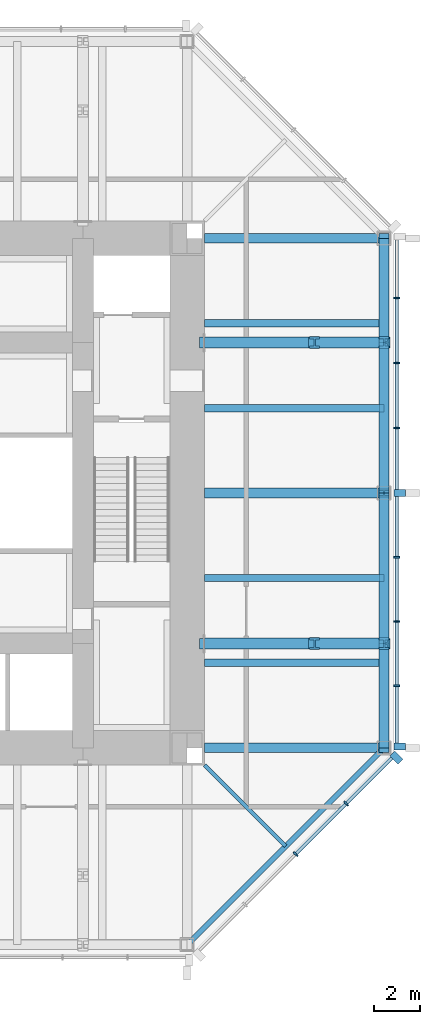
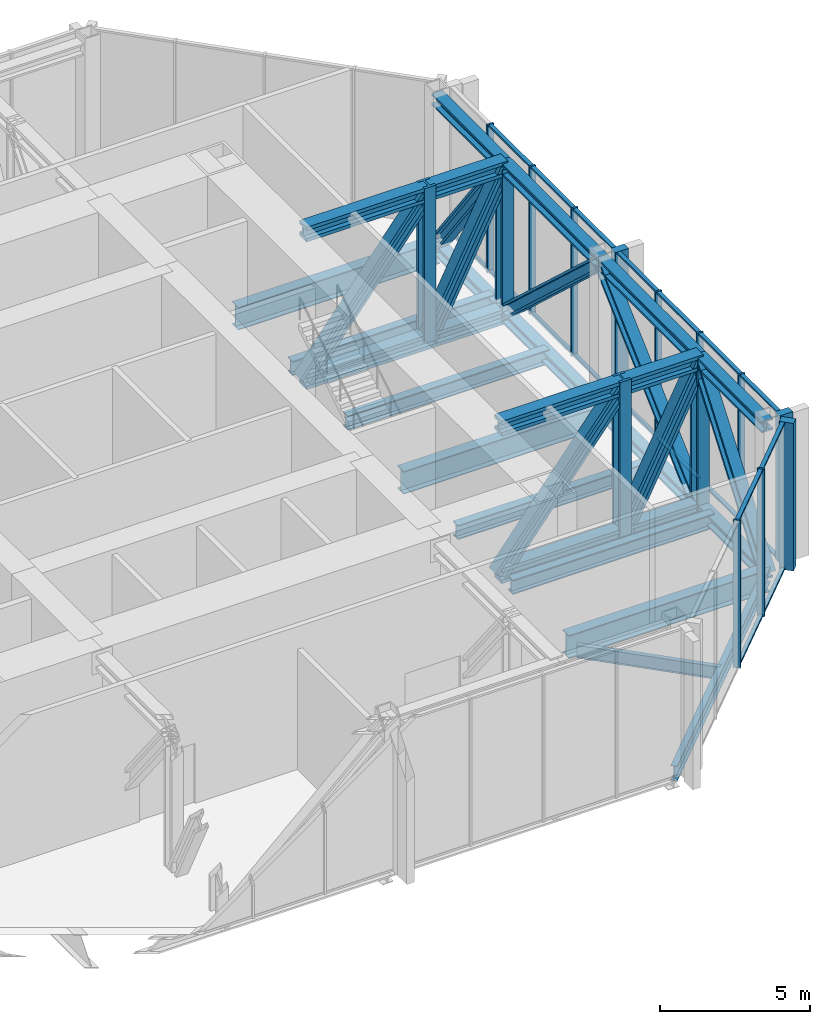
# One storey, part 5 of 11: 42 members, 23 beams, 2 elements without a shape of their own.
"""IFC4 building model written with IfcOpenShell, lengths in metres."""

from ifc_helpers import new_model, si_unit, direction, frame, origin, origin_2d, place, context, subcontext, project, spatial, rectangle, i_section, extrude, material, material_profile, profile_set, type_object, element, aggregate, save


model = new_model("IFC4")

# Units and contexts
model_context = context("Model", 3, precision=1e-05, world=origin(), true_north=direction((0.0, 1.0)))
body_context = subcontext(model_context, "Body", "Model", "MODEL_VIEW")
ifc_project = project(units=[si_unit("LENGTHUNIT", "METRE"), si_unit("AREAUNIT", "SQUARE_METRE"), si_unit("VOLUMEUNIT", "CUBIC_METRE"), si_unit("PLANEANGLEUNIT", "RADIAN"), si_unit("MASSUNIT", "GRAM", prefix="KILO")], contexts=[model_context])

# Site, building, storey
site_placement = place(None, origin())
site = spatial("IfcSite", under=ifc_project, at=site_placement, CompositionType="ELEMENT")
building_placement = place(site_placement, origin())
building = spatial("IfcBuilding", under=site, at=building_placement, Name="Trevanion Tower", CompositionType="ELEMENT")
storey_placement = place(building_placement, frame((0.0, 0.0, 257.199951171875)))
storey = spatial("IfcBuildingStorey", under=building, at=storey_placement, Name="L63", CompositionType="ELEMENT", Elevation=257.199951171875)

# Beams
ifc_material_1 = material(Name="Steel ASTM A992 Grade 50", Category="steel")
ifc_material_profile_1 = material_profile(ifc_material_1, i_section(OverallWidth=0.320068359375, OverallDepth=0.584228515625, WebThickness=0.023193359375, FlangeThickness=0.04150390625, at=origin_2d()), Name="W21X201")
ifc_profile_set_1 = profile_set([ifc_material_profile_1], Name="Steel ASTM A992 Grade 50")
beam_type_1 = type_object("IfcBeamType", Name="B13 W21X201", PredefinedType="BEAM", material=ifc_profile_set_1)
for number, where, z_axis, x_axis, name in (
    (1, (11.75, -7.333251953125, -0.48193359375), (1.0, 0.0, 0.0), (0.0, 1.0, 0.0), "B13 L63"),
    (2, (11.75, -3.666748046875, -0.48193359375), (1.0, 0.0, 0.0), (0.0, 1.0, 0.0), "B13 L63"),
    (3, (11.75, 3.666748046875, -0.48193359375), (1.0, 0.0, 0.0), (0.0, 1.0, 0.0), "B13 L63"),
    (4, (11.75, 7.333251953125, -0.48193359375), (1.0, 0.0, 0.0), (0.0, 1.0, 0.0), "B13 L63"),
):
    element("IfcBeam", number, at=place(storey_placement, frame(where, z_axis=z_axis, x_axis=x_axis)), inside=storey, type_object=beam_type_1, Name=name, PredefinedType="BEAM", context=body_context, shape_type="SweptSolid", body=[
        extrude(i_section(OverallWidth=0.320068359375, OverallDepth=0.584228515625, WebThickness=0.023193359375, FlangeThickness=0.04150390625, at=origin_2d()), origin(), (0.0, 0.0, 1.0), 7.75),
    ])
ifc_material_2 = material(Name="Steel ASTM A992 Grade 50", Category="steel")
ifc_material_profile_2 = material_profile(ifc_material_2, i_section(OverallWidth=0.1650390625, OverallDepth=0.52587890625, WebThickness=0.0087890625, FlangeThickness=0.011474609375, at=origin_2d()), Name="W21X44")
ifc_profile_set_2 = profile_set([ifc_material_profile_2], Name="Steel ASTM A992 Grade 50")
beam_type_2 = type_object("IfcBeamType", Name="B14 W21X44", PredefinedType="BEAM", material=ifc_profile_set_2)
beam_1_placement = place(storey_placement, frame((11.75, -11.75, -0.452880859375), z_axis=(0.707106781187, -0.707106781187, 0.0), x_axis=(0.707106781187, 0.707106781187, 0.0)))
element("IfcBeam", 5, at=beam_1_placement, inside=storey, type_object=beam_type_2, Name="B14 L63", PredefinedType="BEAM", context=body_context, shape_type="SweptSolid", body=[
    extrude(i_section(OverallWidth=0.1650390625, OverallDepth=0.52587890625, WebThickness=0.0087890625, FlangeThickness=0.011474609375, at=origin_2d()), origin(), (0.0, 0.0, 1.0), 4.94970703125),
])
ifc_material_3 = material(Name="Steel ASTM A992 Grade 50", Category="steel")
ifc_material_profile_3 = material_profile(ifc_material_3, i_section(OverallWidth=0.421630859375, OverallDepth=0.46484375, WebThickness=0.044921875, FlangeThickness=0.072509765625, at=origin_2d()), Name="W14X398")
ifc_profile_set_3 = profile_set([ifc_material_profile_3], Name="Steel ASTM A992 Grade 50")
beam_type_3 = type_object("IfcBeamType", Name="BT3-CH W14X398", PredefinedType="BEAM", material=ifc_profile_set_3)
for number, where, z_axis, x_axis, name in (
    (6, (19.5, -11.0, -0.48974609375), (0.0, 1.0, 0.0), (-1.0, 0.0, 0.0), "BT3 belt truss chord"),
    (7, (19.5, -11.0, 5.51025390625), (0.0, 1.0, 0.0), (-1.0, 0.0, 0.0), "BT3 belt truss chord"),
):
    element("IfcBeam", number, at=place(storey_placement, frame(where, z_axis=z_axis, x_axis=x_axis)), inside=storey, type_object=beam_type_3, Name=name, PredefinedType="BEAM", context=body_context, shape_type="SweptSolid", body=[
        extrude(i_section(OverallWidth=0.421630859375, OverallDepth=0.46484375, WebThickness=0.044921875, FlangeThickness=0.072509765625, at=origin_2d()), origin(), (0.0, 0.0, 1.0), 4.5),
    ])
for number, where, z_axis, x_axis, name in (
    (8, (19.5, -6.5, -0.48974609375), (0.0, 1.0, 0.0), (-1.0, 0.0, 0.0), "BT3 belt truss chord"),
    (9, (19.5, -6.5, 5.51025390625), (0.0, 1.0, 0.0), (-1.0, 0.0, 0.0), "BT3 belt truss chord"),
    (10, (19.5, 0.0, -0.48974609375), (0.0, 1.0, 0.0), (-1.0, 0.0, 0.0), "BT3 belt truss chord"),
    (11, (19.5, 0.0, 5.51025390625), (0.0, 1.0, 0.0), (-1.0, 0.0, 0.0), "BT3 belt truss chord"),
):
    element("IfcBeam", number, at=place(storey_placement, frame(where, z_axis=z_axis, x_axis=x_axis)), inside=storey, type_object=beam_type_3, Name=name, PredefinedType="BEAM", context=body_context, shape_type="SweptSolid", body=[
        extrude(i_section(OverallWidth=0.421630859375, OverallDepth=0.46484375, WebThickness=0.044921875, FlangeThickness=0.072509765625, at=origin_2d()), origin(), (0.0, 0.0, 1.0), 6.5),
    ])
for number, where, z_axis, x_axis, name in (
    (12, (19.5, 6.5, -0.48974609375), (0.0, 1.0, 0.0), (-1.0, 0.0, 0.0), "BT3 belt truss chord"),
    (13, (19.5, 6.5, 5.51025390625), (0.0, 1.0, 0.0), (-1.0, 0.0, 0.0), "BT3 belt truss chord"),
):
    element("IfcBeam", number, at=place(storey_placement, frame(where, z_axis=z_axis, x_axis=x_axis)), inside=storey, type_object=beam_type_3, Name=name, PredefinedType="BEAM", context=body_context, shape_type="SweptSolid", body=[
        extrude(i_section(OverallWidth=0.421630859375, OverallDepth=0.46484375, WebThickness=0.044921875, FlangeThickness=0.072509765625, at=origin_2d()), origin(), (0.0, 0.0, 1.0), 4.5),
    ])

# Members
ifc_material_4 = material(Name="Steel ASTM A992 Grade 50", Category="steel")
ifc_material_profile_4 = material_profile(ifc_material_4, i_section(OverallWidth=0.431884765625, OverallDepth=0.497802734375, WebThickness=0.0556640625, FlangeThickness=0.0888671875, at=origin_2d()), Name="W14X500")
ifc_profile_set_4 = profile_set([ifc_material_profile_4], Name="Steel ASTM A992 Grade 50")
member_type_1 = type_object("IfcMemberType", Name="BT3-D W14X500", PredefinedType="BRACE", material=ifc_profile_set_4)
member_1_placement = place(storey_placement, frame((19.5, -11.0, -0.48974609375), z_axis=(0.0, 0.6, 0.8), x_axis=(-1.0, 0.0, 0.0)))
element("IfcMember", 14, at=member_1_placement, inside=storey, type_object=member_type_1, Name="BT3 belt truss diagonal", PredefinedType="BRACE", context=body_context, shape_type="SweptSolid", body=[
    extrude(i_section(OverallWidth=0.431884765625, OverallDepth=0.497802734375, WebThickness=0.0556640625, FlangeThickness=0.0888671875, at=origin_2d()), origin(), (0.0, 0.0, 1.0), 7.5),
])
for number, where, z_axis, x_axis, name in (
    (15, (19.5, -6.5, -0.48974609375), (0.0, 0.734803444627, 0.678280102733), (-1.0, 0.0, 0.0), "BT3 belt truss diagonal"),
    (16, (19.5, 6.5, -0.48974609375), (0.0, -0.734803444627, 0.678280102733), (1.0, 0.0, 0.0), "BT3 belt truss diagonal"),
):
    element("IfcMember", number, at=place(storey_placement, frame(where, z_axis=z_axis, x_axis=x_axis)), inside=storey, type_object=member_type_1, Name=name, PredefinedType="BRACE", context=body_context, shape_type="SweptSolid", body=[
        extrude(i_section(OverallWidth=0.431884765625, OverallDepth=0.497802734375, WebThickness=0.0556640625, FlangeThickness=0.0888671875, at=origin_2d()), origin(), (0.0, 0.0, 1.0), 8.845947265625),
    ])
member_2_placement = place(storey_placement, frame((19.5, 11.0, -0.48974609375), z_axis=(0.0, -0.6, 0.8), x_axis=(1.0, 0.0, 0.0)))
element("IfcMember", 17, at=member_2_placement, inside=storey, type_object=member_type_1, Name="BT3 belt truss diagonal", PredefinedType="BRACE", context=body_context, shape_type="SweptSolid", body=[
    extrude(i_section(OverallWidth=0.431884765625, OverallDepth=0.497802734375, WebThickness=0.0556640625, FlangeThickness=0.0888671875, at=origin_2d()), origin(), (0.0, 0.0, 1.0), 7.5),
])
ifc_material_5 = material(Name="Steel ASTM A992 Grade 50", Category="steel")
ifc_material_profile_5 = material_profile(ifc_material_5, i_section(OverallWidth=0.44189453125, OverallDepth=0.53076171875, WebThickness=0.06591796875, FlangeThickness=0.105712890625, at=origin_2d()), Name="W14X605")
ifc_profile_set_5 = profile_set([ifc_material_profile_5], Name="Steel ASTM A992 Grade 50")
member_type_2 = type_object("IfcMemberType", Name="BT3-V W14X605", PredefinedType="POST", material=ifc_profile_set_5)
for number, where, z_axis, x_axis, name in (
    (18, (19.5, -6.5, -0.48974609375), (0.0, 0.0, 1.0), (1.0, 0.0, 0.0), "BT3 belt truss vertical"),
    (19, (19.5, 6.5, -0.48974609375), (0.0, 0.0, 1.0), (1.0, 0.0, 0.0), "BT3 belt truss vertical"),
):
    element("IfcMember", number, at=place(storey_placement, frame(where, z_axis=z_axis, x_axis=x_axis)), inside=storey, type_object=member_type_2, Name=name, PredefinedType="POST", context=body_context, shape_type="SweptSolid", body=[
        extrude(i_section(OverallWidth=0.44189453125, OverallDepth=0.53076171875, WebThickness=0.06591796875, FlangeThickness=0.105712890625, at=origin_2d()), origin(), (0.0, 0.0, 1.0), 6.0),
    ])

# Curtain wall, members
ifc_material_6 = material(Name="Aluminium louvres", Category="aluminium")
curtain_wall_type = type_object("IfcCurtainWallType", Name="CWL curtain wall", PredefinedType="USERDEFINED", material=ifc_material_6)
curtain_wall_1_placement = place(storey_placement, origin())
curtain_wall_1 = element("IfcCurtainWall", 20, at=curtain_wall_1_placement, inside=storey, type_object=curtain_wall_type, Name="CWL L63 0", ObjectType="LOUVRE SCREEN", PredefinedType="USERDEFINED")
ifc_material_7 = material(Name="Aluminium extrusion, anodised bronze", Category="aluminium")
ifc_material_profile_6 = material_profile(ifc_material_7, rectangle(XDim=0.074951171875, YDim=0.25, at=origin_2d()), Name="CWL mullion")
ifc_profile_set_6 = profile_set([ifc_material_profile_6], Name="Aluminium extrusion, anodised bronze")
member_type_3 = type_object("IfcMemberType", Name="CWL mullion", PredefinedType="MULLION", material=ifc_profile_set_6)
member_3_placement = place(storey_placement, frame((20.050048828125, -8.323486328125, -0.18994140625), z_axis=(0.0, 0.0, 1.0), x_axis=(0.0, 1.0, 0.0)))
member_3 = element("IfcMember", 21, at=member_3_placement, type_object=member_type_3, Name="CWL mullion 2", PredefinedType="MULLION", context=body_context, shape_type="SweptSolid", body=[
    extrude(rectangle(XDim=0.074951171875, YDim=0.25, at=origin_2d()), origin(), (0.0, 0.0, 1.0), 6.0),
])
member_4_placement = place(storey_placement, frame((20.050048828125, -5.548828125, -0.18994140625), z_axis=(0.0, 0.0, 1.0), x_axis=(0.0, 1.0, 0.0)))
member_4 = element("IfcMember", 22, at=member_4_placement, type_object=member_type_3, Name="CWL mullion 3", PredefinedType="MULLION", context=body_context, shape_type="SweptSolid", body=[
    extrude(rectangle(XDim=0.074951171875, YDim=0.25, at=origin_2d()), origin(), (0.0, 0.0, 1.0), 6.0),
])
member_5_placement = place(storey_placement, frame((20.050048828125, -2.7744140625, -0.18994140625), z_axis=(0.0, 0.0, 1.0), x_axis=(0.0, 1.0, 0.0)))
member_5 = element("IfcMember", 23, at=member_5_placement, type_object=member_type_3, Name="CWL mullion 4", PredefinedType="MULLION", context=body_context, shape_type="SweptSolid", body=[
    extrude(rectangle(XDim=0.074951171875, YDim=0.25, at=origin_2d()), origin(), (0.0, 0.0, 1.0), 6.0),
])
member_6_placement = place(storey_placement, frame((20.050048828125, 2.806884765625, -0.18994140625), z_axis=(0.0, 0.0, 1.0), x_axis=(0.0, 1.0, 0.0)))
member_6 = element("IfcMember", 24, at=member_6_placement, type_object=member_type_3, Name="CWL mullion 6", PredefinedType="MULLION", context=body_context, shape_type="SweptSolid", body=[
    extrude(rectangle(XDim=0.074951171875, YDim=0.25, at=origin_2d()), origin(), (0.0, 0.0, 1.0), 6.0),
])
member_7_placement = place(storey_placement, frame((20.050048828125, 5.614013671875, -0.18994140625), z_axis=(0.0, 0.0, 1.0), x_axis=(0.0, 1.0, 0.0)))
member_7 = element("IfcMember", 25, at=member_7_placement, type_object=member_type_3, Name="CWL mullion 7", PredefinedType="MULLION", context=body_context, shape_type="SweptSolid", body=[
    extrude(rectangle(XDim=0.074951171875, YDim=0.25, at=origin_2d()), origin(), (0.0, 0.0, 1.0), 6.0),
])
member_8_placement = place(storey_placement, frame((20.050048828125, 8.4208984375, -0.18994140625), z_axis=(0.0, 0.0, 1.0), x_axis=(0.0, 1.0, 0.0)))
member_8 = element("IfcMember", 26, at=member_8_placement, type_object=member_type_3, Name="CWL mullion 8", PredefinedType="MULLION", context=body_context, shape_type="SweptSolid", body=[
    extrude(rectangle(XDim=0.074951171875, YDim=0.25, at=origin_2d()), origin(), (0.0, 0.0, 1.0), 6.0),
])

curtain_wall_2_placement = place(storey_placement, origin())
curtain_wall_2 = element("IfcCurtainWall", 27, at=curtain_wall_2_placement, inside=storey, type_object=curtain_wall_type, Name="CWL L63 7", ObjectType="LOUVRE SCREEN", PredefinedType="USERDEFINED")
member_9_placement = place(storey_placement, frame((15.684814453125, -15.593017578125, -0.18994140625), z_axis=(0.0, 0.0, 1.0), x_axis=(0.707106781187, 0.707106781187, 0.0)))
member_9 = element("IfcMember", 28, at=member_9_placement, type_object=member_type_3, Name="CWL mullion 3", PredefinedType="MULLION", context=body_context, shape_type="SweptSolid", body=[
    extrude(rectangle(XDim=0.074951171875, YDim=0.25, at=origin_2d()), origin(), (0.0, 0.0, 1.0), 6.0),
])
member_10_placement = place(storey_placement, frame((17.867431640625, -13.410400390625, -0.18994140625), z_axis=(0.0, 0.0, 1.0), x_axis=(0.707106781187, 0.707106781187, 0.0)))
member_10 = element("IfcMember", 29, at=member_10_placement, type_object=member_type_3, Name="CWL mullion 4", PredefinedType="MULLION", context=body_context, shape_type="SweptSolid", body=[
    extrude(rectangle(XDim=0.074951171875, YDim=0.25, at=origin_2d()), origin(), (0.0, 0.0, 1.0), 6.0),
])

# Member
ifc_material_8 = material(Name="Aluminium extrusion, anodised bronze", Category="aluminium")
ifc_material_profile_7 = material_profile(ifc_material_8, rectangle(XDim=0.300048828125, YDim=0.5, at=origin_2d()), Name="CWL pier mullion")
ifc_profile_set_7 = profile_set([ifc_material_profile_7], Name="Aluminium extrusion, anodised bronze")
member_type_4 = type_object("IfcMemberType", Name="CWL pier mullion", PredefinedType="MULLION", material=ifc_profile_set_7)
member_11_placement = place(storey_placement, frame((20.175048828125, -10.94775390625, -0.18994140625), z_axis=(0.0, 0.0, 1.0), x_axis=(0.0, 1.0, 0.0)))
member_11 = element("IfcMember", 30, at=member_11_placement, type_object=member_type_4, Name="CWL pier mullion 1", PredefinedType="MULLION", context=body_context, shape_type="SweptSolid", body=[
    extrude(rectangle(XDim=0.300048828125, YDim=0.5, at=origin_2d()), origin(), (0.0, 0.0, 1.0), 6.0),
])

member_12_placement = place(storey_placement, frame((20.175048828125, 0.0, -0.18994140625), z_axis=(0.0, 0.0, 1.0), x_axis=(0.0, 1.0, 0.0)))
member_12 = element("IfcMember", 31, at=member_12_placement, type_object=member_type_4, Name="CWL pier mullion 5", PredefinedType="MULLION", context=body_context, shape_type="SweptSolid", body=[
    extrude(rectangle(XDim=0.300048828125, YDim=0.5, at=origin_2d()), origin(), (0.0, 0.0, 1.0), 6.0),
])

member_13_placement = place(storey_placement, frame((20.0322265625, -11.42236328125, -0.18994140625), z_axis=(0.0, 0.0, 1.0), x_axis=(0.707106781187, 0.707106781187, 0.0)))
member_13 = element("IfcMember", 32, at=member_13_placement, type_object=member_type_4, Name="CWL pier mullion 5", PredefinedType="MULLION", context=body_context, shape_type="SweptSolid", body=[
    extrude(rectangle(XDim=0.300048828125, YDim=0.5, at=origin_2d()), origin(), (0.0, 0.0, 1.0), 6.0),
])

ifc_material_9 = material(Name="Aluminium extrusion, anodised bronze", Category="aluminium")
ifc_material_profile_8 = material_profile(ifc_material_9, rectangle(XDim=0.14990234375, YDim=0.074951171875, at=origin_2d()), Name="CWL transom")
ifc_profile_set_8 = profile_set([ifc_material_profile_8], Name="Aluminium extrusion, anodised bronze")
member_type_5 = type_object("IfcMemberType", Name="CWL transom", PredefinedType="USERDEFINED", material=ifc_profile_set_8)
member_14_placement = place(storey_placement, frame((20.050048828125, -10.7978515625, -0.15234375), z_axis=(0.0, 1.0, 0.0), x_axis=(-1.0, 0.0, 0.0)))
member_14 = element("IfcMember", 33, at=member_14_placement, type_object=member_type_5, Name="CWL transom 1.1", ObjectType="TRANSOM", PredefinedType="USERDEFINED", context=body_context, shape_type="SweptSolid", body=[
    extrude(rectangle(XDim=0.14990234375, YDim=0.074951171875, at=origin_2d()), origin(), (0.0, 0.0, 1.0), 2.43701171875),
])

member_15_placement = place(storey_placement, frame((20.050048828125, -10.7978515625, 5.7724609375), z_axis=(0.0, 1.0, 0.0), x_axis=(-1.0, 0.0, 0.0)))
member_15 = element("IfcMember", 34, at=member_15_placement, type_object=member_type_5, Name="CWL transom 1.2", ObjectType="TRANSOM", PredefinedType="USERDEFINED", context=body_context, shape_type="SweptSolid", body=[
    extrude(rectangle(XDim=0.14990234375, YDim=0.074951171875, at=origin_2d()), origin(), (0.0, 0.0, 1.0), 2.43701171875),
])

member_16_placement = place(storey_placement, frame((20.050048828125, -8.285888671875, -0.15234375), z_axis=(0.0, 1.0, 0.0), x_axis=(-1.0, 0.0, 0.0)))
member_16 = element("IfcMember", 35, at=member_16_placement, type_object=member_type_5, Name="CWL transom 2.1", ObjectType="TRANSOM", PredefinedType="USERDEFINED", context=body_context, shape_type="SweptSolid", body=[
    extrude(rectangle(XDim=0.14990234375, YDim=0.074951171875, at=origin_2d()), origin(), (0.0, 0.0, 1.0), 2.699462890625),
])

member_17_placement = place(storey_placement, frame((20.050048828125, -8.285888671875, 5.7724609375), z_axis=(0.0, 1.0, 0.0), x_axis=(-1.0, 0.0, 0.0)))
member_17 = element("IfcMember", 36, at=member_17_placement, type_object=member_type_5, Name="CWL transom 2.2", ObjectType="TRANSOM", PredefinedType="USERDEFINED", context=body_context, shape_type="SweptSolid", body=[
    extrude(rectangle(XDim=0.14990234375, YDim=0.074951171875, at=origin_2d()), origin(), (0.0, 0.0, 1.0), 2.699462890625),
])

member_18_placement = place(storey_placement, frame((20.050048828125, -5.511474609375, -0.15234375), z_axis=(0.0, 1.0, 0.0), x_axis=(-1.0, 0.0, 0.0)))
member_18 = element("IfcMember", 37, at=member_18_placement, type_object=member_type_5, Name="CWL transom 3.1", ObjectType="TRANSOM", PredefinedType="USERDEFINED", context=body_context, shape_type="SweptSolid", body=[
    extrude(rectangle(XDim=0.14990234375, YDim=0.074951171875, at=origin_2d()), origin(), (0.0, 0.0, 1.0), 2.699462890625),
])

member_19_placement = place(storey_placement, frame((20.050048828125, -5.511474609375, 5.7724609375), z_axis=(0.0, 1.0, 0.0), x_axis=(-1.0, 0.0, 0.0)))
member_19 = element("IfcMember", 38, at=member_19_placement, type_object=member_type_5, Name="CWL transom 3.2", ObjectType="TRANSOM", PredefinedType="USERDEFINED", context=body_context, shape_type="SweptSolid", body=[
    extrude(rectangle(XDim=0.14990234375, YDim=0.074951171875, at=origin_2d()), origin(), (0.0, 0.0, 1.0), 2.699462890625),
])

member_20_placement = place(storey_placement, frame((20.050048828125, -2.737060546875, -0.15234375), z_axis=(0.0, 1.0, 0.0), x_axis=(-1.0, 0.0, 0.0)))
member_20 = element("IfcMember", 39, at=member_20_placement, type_object=member_type_5, Name="CWL transom 4.1", ObjectType="TRANSOM", PredefinedType="USERDEFINED", context=body_context, shape_type="SweptSolid", body=[
    extrude(rectangle(XDim=0.14990234375, YDim=0.074951171875, at=origin_2d()), origin(), (0.0, 0.0, 1.0), 2.587158203125),
])

member_21_placement = place(storey_placement, frame((20.050048828125, -2.737060546875, 5.7724609375), z_axis=(0.0, 1.0, 0.0), x_axis=(-1.0, 0.0, 0.0)))
member_21 = element("IfcMember", 40, at=member_21_placement, type_object=member_type_5, Name="CWL transom 4.2", ObjectType="TRANSOM", PredefinedType="USERDEFINED", context=body_context, shape_type="SweptSolid", body=[
    extrude(rectangle(XDim=0.14990234375, YDim=0.074951171875, at=origin_2d()), origin(), (0.0, 0.0, 1.0), 2.587158203125),
])

member_22_placement = place(storey_placement, frame((20.050048828125, 0.14990234375, -0.15234375), z_axis=(0.0, 1.0, 0.0), x_axis=(-1.0, 0.0, 0.0)))
member_22 = element("IfcMember", 41, at=member_22_placement, type_object=member_type_5, Name="CWL transom 5.1", ObjectType="TRANSOM", PredefinedType="USERDEFINED", context=body_context, shape_type="SweptSolid", body=[
    extrude(rectangle(XDim=0.14990234375, YDim=0.074951171875, at=origin_2d()), origin(), (0.0, 0.0, 1.0), 2.619384765625),
])

member_23_placement = place(storey_placement, frame((20.050048828125, 0.14990234375, 5.7724609375), z_axis=(0.0, 1.0, 0.0), x_axis=(-1.0, 0.0, 0.0)))
member_23 = element("IfcMember", 42, at=member_23_placement, type_object=member_type_5, Name="CWL transom 5.2", ObjectType="TRANSOM", PredefinedType="USERDEFINED", context=body_context, shape_type="SweptSolid", body=[
    extrude(rectangle(XDim=0.14990234375, YDim=0.074951171875, at=origin_2d()), origin(), (0.0, 0.0, 1.0), 2.619384765625),
])

member_24_placement = place(storey_placement, frame((20.050048828125, 2.844482421875, -0.15234375), z_axis=(0.0, 1.0, 0.0), x_axis=(-1.0, 0.0, 0.0)))
member_24 = element("IfcMember", 43, at=member_24_placement, type_object=member_type_5, Name="CWL transom 6.1", ObjectType="TRANSOM", PredefinedType="USERDEFINED", context=body_context, shape_type="SweptSolid", body=[
    extrude(rectangle(XDim=0.14990234375, YDim=0.074951171875, at=origin_2d()), origin(), (0.0, 0.0, 1.0), 2.73193359375),
])

member_25_placement = place(storey_placement, frame((20.050048828125, 2.844482421875, 5.7724609375), z_axis=(0.0, 1.0, 0.0), x_axis=(-1.0, 0.0, 0.0)))
member_25 = element("IfcMember", 44, at=member_25_placement, type_object=member_type_5, Name="CWL transom 6.2", ObjectType="TRANSOM", PredefinedType="USERDEFINED", context=body_context, shape_type="SweptSolid", body=[
    extrude(rectangle(XDim=0.14990234375, YDim=0.074951171875, at=origin_2d()), origin(), (0.0, 0.0, 1.0), 2.73193359375),
])

member_26_placement = place(storey_placement, frame((20.050048828125, 5.6513671875, -0.15234375), z_axis=(0.0, 1.0, 0.0), x_axis=(-1.0, 0.0, 0.0)))
member_26 = element("IfcMember", 45, at=member_26_placement, type_object=member_type_5, Name="CWL transom 7.1", ObjectType="TRANSOM", PredefinedType="USERDEFINED", context=body_context, shape_type="SweptSolid", body=[
    extrude(rectangle(XDim=0.14990234375, YDim=0.074951171875, at=origin_2d()), origin(), (0.0, 0.0, 1.0), 2.73193359375),
])

member_27_placement = place(storey_placement, frame((20.050048828125, 5.6513671875, 5.7724609375), z_axis=(0.0, 1.0, 0.0), x_axis=(-1.0, 0.0, 0.0)))
member_27 = element("IfcMember", 46, at=member_27_placement, type_object=member_type_5, Name="CWL transom 7.2", ObjectType="TRANSOM", PredefinedType="USERDEFINED", context=body_context, shape_type="SweptSolid", body=[
    extrude(rectangle(XDim=0.14990234375, YDim=0.074951171875, at=origin_2d()), origin(), (0.0, 0.0, 1.0), 2.73193359375),
])

member_28_placement = place(storey_placement, frame((20.050048828125, 8.45849609375, -0.15234375), z_axis=(0.0, 1.0, 0.0), x_axis=(-1.0, 0.0, 0.0)))
member_28 = element("IfcMember", 47, at=member_28_placement, type_object=member_type_5, Name="CWL transom 8.1", ObjectType="TRANSOM", PredefinedType="USERDEFINED", context=body_context, shape_type="SweptSolid", body=[
    extrude(rectangle(XDim=0.14990234375, YDim=0.074951171875, at=origin_2d()), origin(), (0.0, 0.0, 1.0), 2.46923828125),
])

aggregate(curtain_wall_1, [member_11, member_3, member_4, member_5, member_12, member_6, member_7, member_8, member_14, member_15, member_16, member_17, member_18, member_19, member_20, member_21, member_22, member_23, member_24, member_25, member_26, member_27, member_28])

member_29_placement = place(storey_placement, frame((15.71142578125, -15.56640625, -0.15234375), z_axis=(0.707106781187, 0.707106781187, 0.0), x_axis=(-0.707106781187, 0.707106781187, 0.0)))
member_29 = element("IfcMember", 48, at=member_29_placement, type_object=member_type_5, Name="CWL transom 3.1", ObjectType="TRANSOM", PredefinedType="USERDEFINED", context=body_context, shape_type="SweptSolid", body=[
    extrude(rectangle(XDim=0.14990234375, YDim=0.074951171875, at=origin_2d()), origin(), (0.0, 0.0, 1.0), 3.011474609375),
])

member_30_placement = place(storey_placement, frame((15.71142578125, -15.56640625, 5.7724609375), z_axis=(0.707106781187, 0.707106781187, 0.0), x_axis=(-0.707106781187, 0.707106781187, 0.0)))
member_30 = element("IfcMember", 49, at=member_30_placement, type_object=member_type_5, Name="CWL transom 3.2", ObjectType="TRANSOM", PredefinedType="USERDEFINED", context=body_context, shape_type="SweptSolid", body=[
    extrude(rectangle(XDim=0.14990234375, YDim=0.074951171875, at=origin_2d()), origin(), (0.0, 0.0, 1.0), 3.011474609375),
])

member_31_placement = place(storey_placement, frame((17.89404296875, -13.3837890625, -0.15234375), z_axis=(0.707106781187, 0.707106781187, 0.0), x_axis=(-0.707106781187, 0.707106781187, 0.0)))
member_31 = element("IfcMember", 50, at=member_31_placement, type_object=member_type_5, Name="CWL transom 4.1", ObjectType="TRANSOM", PredefinedType="USERDEFINED", context=body_context, shape_type="SweptSolid", body=[
    extrude(rectangle(XDim=0.14990234375, YDim=0.074951171875, at=origin_2d()), origin(), (0.0, 0.0, 1.0), 2.7490234375),
])

member_32_placement = place(storey_placement, frame((17.89404296875, -13.3837890625, 5.7724609375), z_axis=(0.707106781187, 0.707106781187, 0.0), x_axis=(-0.707106781187, 0.707106781187, 0.0)))
member_32 = element("IfcMember", 51, at=member_32_placement, type_object=member_type_5, Name="CWL transom 4.2", ObjectType="TRANSOM", PredefinedType="USERDEFINED", context=body_context, shape_type="SweptSolid", body=[
    extrude(rectangle(XDim=0.14990234375, YDim=0.074951171875, at=origin_2d()), origin(), (0.0, 0.0, 1.0), 2.7490234375),
])

aggregate(curtain_wall_2, [member_9, member_10, member_13, member_29, member_30, member_31, member_32])

# Beams
ifc_material_10 = material(Name="Steel ASTM A992 Grade 50", Category="steel")
ifc_material_profile_9 = material_profile(ifc_material_10, i_section(OverallWidth=0.419189453125, OverallDepth=0.927001953125, WebThickness=0.019287109375, FlangeThickness=0.031982421875, at=origin_2d()), Name="W36X231")
ifc_profile_set_9 = profile_set([ifc_material_profile_9], Name="Steel ASTM A992 Grade 50")
beam_type_4 = type_object("IfcBeamType", Name="G7 W36X231", PredefinedType="BEAM", material=ifc_profile_set_9)
for number, where, z_axis, x_axis, name in (
    (52, (11.75, -11.0, -0.653564453125), (1.0, 0.0, 0.0), (0.0, 1.0, 0.0), "G7 L63"),
    (53, (11.75, 0.0, -0.653564453125), (1.0, 0.0, 0.0), (0.0, 1.0, 0.0), "G7 L63"),
    (54, (11.75, 11.0, -0.653564453125), (1.0, 0.0, 0.0), (0.0, 1.0, 0.0), "G7 L63"),
):
    element("IfcBeam", number, at=place(storey_placement, frame(where, z_axis=z_axis, x_axis=x_axis)), inside=storey, type_object=beam_type_4, Name=name, PredefinedType="BEAM", context=body_context, shape_type="SweptSolid", body=[
        extrude(i_section(OverallWidth=0.419189453125, OverallDepth=0.927001953125, WebThickness=0.019287109375, FlangeThickness=0.031982421875, at=origin_2d()), origin(), (0.0, 0.0, 1.0), 7.75),
    ])
ifc_material_11 = material(Name="Steel ASTM A992 Grade 50", Category="steel")
ifc_material_profile_10 = material_profile(ifc_material_11, i_section(OverallWidth=0.22900390625, OverallDepth=0.612060546875, WebThickness=0.011962890625, FlangeThickness=0.01953125, at=origin_2d()), Name="W24X84")
ifc_profile_set_10 = profile_set([ifc_material_profile_10], Name="Steel ASTM A992 Grade 50")
beam_type_5 = type_object("IfcBeamType", Name="SB11 W24X84", PredefinedType="SPANDREL", material=ifc_profile_set_10)
beam_2_placement = place(storey_placement, frame((11.0, -19.5, -0.49609375), z_axis=(0.707106781187, 0.707106781187, 0.0), x_axis=(-0.707106781187, 0.707106781187, 0.0)))
element("IfcBeam", 55, at=beam_2_placement, inside=storey, type_object=beam_type_5, Name="SB11 L63", PredefinedType="SPANDREL", context=body_context, shape_type="SweptSolid", body=[
    extrude(i_section(OverallWidth=0.22900390625, OverallDepth=0.612060546875, WebThickness=0.011962890625, FlangeThickness=0.01953125, at=origin_2d()), origin(), (0.0, 0.0, 1.0), 12.020751953125),
])
ifc_material_12 = material(Name="Steel ASTM A992 Grade 50", Category="steel")
ifc_material_profile_11 = material_profile(ifc_material_12, i_section(OverallWidth=0.4775390625, OverallDepth=0.599365234375, WebThickness=0.10009765625, FlangeThickness=0.139892578125, at=origin_2d()), Name="W14X873")
ifc_profile_set_11 = profile_set([ifc_material_profile_11], Name="Steel ASTM A992 Grade 50")
beam_type_6 = type_object("IfcBeamType", Name="TT3-CH W14X873", PredefinedType="BEAM", material=ifc_profile_set_11)
beam_3_placement = place(storey_placement, frame((11.75, -6.5, -0.48974609375), z_axis=(1.0, 0.0, 0.0), x_axis=(0.0, 1.0, 0.0)))
element("IfcBeam", 56, at=beam_3_placement, inside=storey, type_object=beam_type_6, Name="TT3 15/G transfer truss chord", PredefinedType="BEAM", context=body_context, shape_type="SweptSolid", body=[
    extrude(i_section(OverallWidth=0.4775390625, OverallDepth=0.599365234375, WebThickness=0.10009765625, FlangeThickness=0.139892578125, at=origin_2d()), origin(), (0.0, 0.0, 1.0), 7.75),
])
beam_4_placement = place(storey_placement, frame((11.75, -6.5, 5.51025390625), z_axis=(1.0, 0.0, 0.0), x_axis=(0.0, 1.0, 0.0)))
element("IfcBeam", 57, at=beam_4_placement, inside=storey, type_object=beam_type_6, Name="TT3 15/G transfer truss chord", PredefinedType="BEAM", context=body_context, shape_type="SweptSolid", body=[
    extrude(i_section(OverallWidth=0.4775390625, OverallDepth=0.599365234375, WebThickness=0.10009765625, FlangeThickness=0.139892578125, at=origin_2d()), origin(), (0.0, 0.0, 1.0), 4.75),
])
beam_5_placement = place(storey_placement, frame((16.5, -6.5, 5.51025390625), z_axis=(1.0, 0.0, 0.0), x_axis=(0.0, 1.0, 0.0)))
element("IfcBeam", 58, at=beam_5_placement, inside=storey, type_object=beam_type_6, Name="TT3 15/G transfer truss chord", PredefinedType="BEAM", context=body_context, shape_type="SweptSolid", body=[
    extrude(i_section(OverallWidth=0.4775390625, OverallDepth=0.599365234375, WebThickness=0.10009765625, FlangeThickness=0.139892578125, at=origin_2d()), origin(), (0.0, 0.0, 1.0), 3.0),
])
beam_6_placement = place(storey_placement, frame((11.75, 6.5, -0.48974609375), z_axis=(1.0, 0.0, 0.0), x_axis=(0.0, 1.0, 0.0)))
element("IfcBeam", 59, at=beam_6_placement, inside=storey, type_object=beam_type_6, Name="TT3 15/J transfer truss chord", PredefinedType="BEAM", context=body_context, shape_type="SweptSolid", body=[
    extrude(i_section(OverallWidth=0.4775390625, OverallDepth=0.599365234375, WebThickness=0.10009765625, FlangeThickness=0.139892578125, at=origin_2d()), origin(), (0.0, 0.0, 1.0), 7.75),
])
beam_7_placement = place(storey_placement, frame((11.75, 6.5, 5.51025390625), z_axis=(1.0, 0.0, 0.0), x_axis=(0.0, 1.0, 0.0)))
element("IfcBeam", 60, at=beam_7_placement, inside=storey, type_object=beam_type_6, Name="TT3 15/J transfer truss chord", PredefinedType="BEAM", context=body_context, shape_type="SweptSolid", body=[
    extrude(i_section(OverallWidth=0.4775390625, OverallDepth=0.599365234375, WebThickness=0.10009765625, FlangeThickness=0.139892578125, at=origin_2d()), origin(), (0.0, 0.0, 1.0), 4.75),
])
beam_8_placement = place(storey_placement, frame((16.5, 6.5, 5.51025390625), z_axis=(1.0, 0.0, 0.0), x_axis=(0.0, 1.0, 0.0)))
element("IfcBeam", 61, at=beam_8_placement, inside=storey, type_object=beam_type_6, Name="TT3 15/J transfer truss chord", PredefinedType="BEAM", context=body_context, shape_type="SweptSolid", body=[
    extrude(i_section(OverallWidth=0.4775390625, OverallDepth=0.599365234375, WebThickness=0.10009765625, FlangeThickness=0.139892578125, at=origin_2d()), origin(), (0.0, 0.0, 1.0), 3.0),
])

# Members
ifc_material_13 = material(Name="Steel ASTM A992 Grade 50", Category="steel")
ifc_material_profile_12 = material_profile(ifc_material_13, i_section(OverallWidth=0.45458984375, OverallDepth=0.56884765625, WebThickness=0.077880859375, FlangeThickness=0.124755859375, at=origin_2d()), Name="W14X730")
ifc_profile_set_12 = profile_set([ifc_material_profile_12], Name="Steel ASTM A992 Grade 50")
member_type_6 = type_object("IfcMemberType", Name="TT3-D W14X730", PredefinedType="BRACE", material=ifc_profile_set_12)
member_33_placement = place(storey_placement, frame((11.75, -6.5, -0.48974609375), z_axis=(0.620702944366, 0.0, 0.784045824462), x_axis=(0.0, 1.0, 0.0)))
element("IfcMember", 62, at=member_33_placement, inside=storey, type_object=member_type_6, Name="TT3 15/G transfer truss diagonal", PredefinedType="BRACE", context=body_context, shape_type="SweptSolid", body=[
    extrude(i_section(OverallWidth=0.45458984375, OverallDepth=0.56884765625, WebThickness=0.077880859375, FlangeThickness=0.124755859375, at=origin_2d()), origin(), (0.0, 0.0, 1.0), 7.652587890625),
])
member_34_placement = place(storey_placement, frame((16.5, -6.5, -0.48974609375), z_axis=(0.4472135955, 0.0, 0.894427191), x_axis=(0.0, 1.0, 0.0)))
element("IfcMember", 63, at=member_34_placement, inside=storey, type_object=member_type_6, Name="TT3 15/G transfer truss diagonal", PredefinedType="BRACE", context=body_context, shape_type="SweptSolid", body=[
    extrude(i_section(OverallWidth=0.45458984375, OverallDepth=0.56884765625, WebThickness=0.077880859375, FlangeThickness=0.124755859375, at=origin_2d()), origin(), (0.0, 0.0, 1.0), 6.708251953125),
])
member_35_placement = place(storey_placement, frame((11.75, 6.5, -0.48974609375), z_axis=(0.620702944366, 0.0, 0.784045824462), x_axis=(0.0, 1.0, 0.0)))
element("IfcMember", 64, at=member_35_placement, inside=storey, type_object=member_type_6, Name="TT3 15/J transfer truss diagonal", PredefinedType="BRACE", context=body_context, shape_type="SweptSolid", body=[
    extrude(i_section(OverallWidth=0.45458984375, OverallDepth=0.56884765625, WebThickness=0.077880859375, FlangeThickness=0.124755859375, at=origin_2d()), origin(), (0.0, 0.0, 1.0), 7.652587890625),
])
member_36_placement = place(storey_placement, frame((16.5, 6.5, -0.48974609375), z_axis=(0.4472135955, 0.0, 0.894427191), x_axis=(0.0, 1.0, 0.0)))
element("IfcMember", 65, at=member_36_placement, inside=storey, type_object=member_type_6, Name="TT3 15/J transfer truss diagonal", PredefinedType="BRACE", context=body_context, shape_type="SweptSolid", body=[
    extrude(i_section(OverallWidth=0.45458984375, OverallDepth=0.56884765625, WebThickness=0.077880859375, FlangeThickness=0.124755859375, at=origin_2d()), origin(), (0.0, 0.0, 1.0), 6.708251953125),
])
ifc_material_14 = material(Name="Steel ASTM A992 Grade 50", Category="steel")
ifc_material_profile_13 = material_profile(ifc_material_14, i_section(OverallWidth=0.44189453125, OverallDepth=0.53076171875, WebThickness=0.06591796875, FlangeThickness=0.105712890625, at=origin_2d()), Name="W14X605")
ifc_profile_set_13 = profile_set([ifc_material_profile_13], Name="Steel ASTM A992 Grade 50")
member_type_7 = type_object("IfcMemberType", Name="TT3-V W14X605", PredefinedType="POST", material=ifc_profile_set_13)
for number, where, z_axis, x_axis, name in (
    (66, (16.5, -6.5, -0.48974609375), (0.0, 0.0, 1.0), (1.0, 0.0, 0.0), "TT3 15/G transfer truss vertical"),
    (67, (16.5, 6.5, -0.48974609375), (0.0, 0.0, 1.0), (1.0, 0.0, 0.0), "TT3 15/J transfer truss vertical"),
):
    element("IfcMember", number, at=place(storey_placement, frame(where, z_axis=z_axis, x_axis=x_axis)), inside=storey, type_object=member_type_7, Name=name, PredefinedType="POST", context=body_context, shape_type="SweptSolid", body=[
        extrude(i_section(OverallWidth=0.44189453125, OverallDepth=0.53076171875, WebThickness=0.06591796875, FlangeThickness=0.105712890625, at=origin_2d()), origin(), (0.0, 0.0, 1.0), 6.2998046875),
    ])

save(model, "model.ifc")
